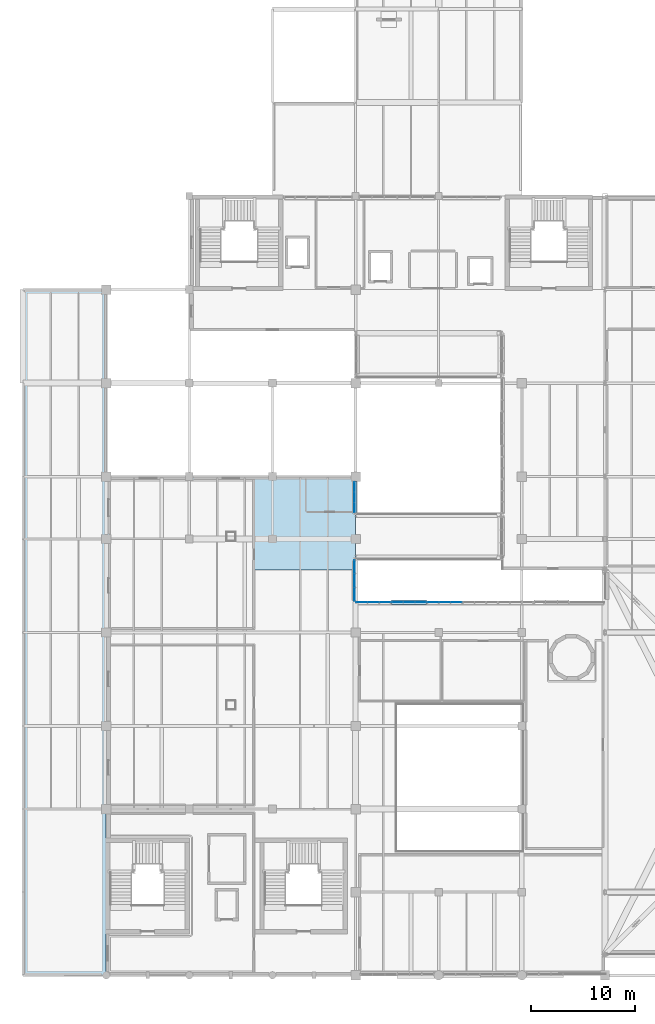
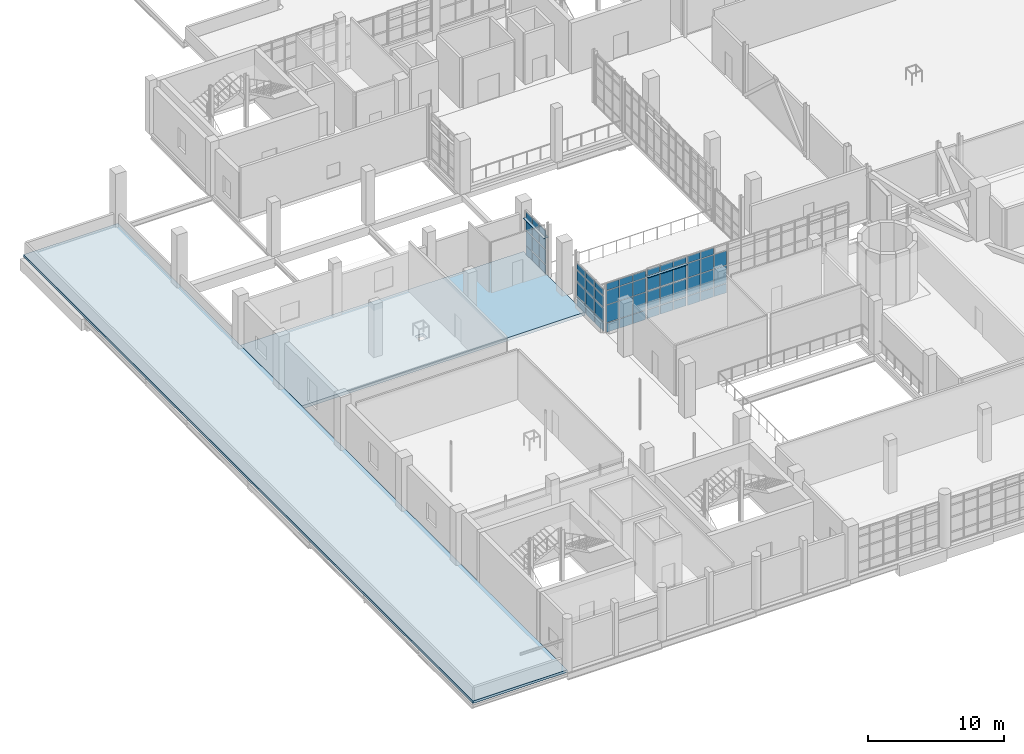
# One storey, part 86 of 127: 61 plates, 2 slabs, 5 elements without a shape of their own.
"""IFC4 building model written with IfcOpenShell, lengths in metres."""

from ifc_helpers import new_model, si_unit, derived_unit, direction, frame, origin, origin_2d, place, context, subcontext, project, spatial, polyline, rectangle, outline, extrude, material, layer, layer_set, type_object, element, aggregate, save


model = new_model("IFC4")

# Units and contexts
model_context = context("Model", 3, precision=1e-05, world=origin(), true_north=direction((0.0, 1.0)))
body_context = subcontext(model_context, "Body", "Model", "MODEL_VIEW")
ifc_project = project(units=[si_unit("LENGTHUNIT", "METRE"), si_unit("AREAUNIT", "SQUARE_METRE"), si_unit("VOLUMEUNIT", "CUBIC_METRE"), si_unit("PLANEANGLEUNIT", "RADIAN"), si_unit("MASSUNIT", "GRAM", prefix="KILO"), derived_unit("THERMALTRANSMITTANCEUNIT", [(si_unit("POWERUNIT", "WATT"), 1), (si_unit("LENGTHUNIT", "METRE"), -2), (si_unit("THERMODYNAMICTEMPERATUREUNIT", "KELVIN"), -1)])], contexts=[model_context])

# Site, building, storey
site_placement = place(None, origin())
site = spatial("IfcSite", under=ifc_project, at=site_placement, CompositionType="ELEMENT")
building_placement = place(site_placement, origin())
building = spatial("IfcBuilding", under=site, at=building_placement, Name="Nallur Shell Playhouse", CompositionType="ELEMENT")
storey_placement = place(building_placement, frame((0.0, 0.0, 5.39990234375)))
storey = spatial("IfcBuildingStorey", under=building, at=storey_placement, Name="L02", CompositionType="ELEMENT", Elevation=5.39990234375)

# Curtain wall, plates
ifc_material_1 = material(Name="Anodised Aluminium Double-Glazed Facade System", Category="aluminium")
ifc_layer_1 = layer(ifc_material_1, 0.172119140625)
ifc_layer_set_1 = layer_set([ifc_layer_1], Name="Anodised Aluminium Double-Glazed Facade System")
curtain_wall_type_1 = type_object("IfcCurtainWallType", Name="CW-UNIT-09", PredefinedType="NOTDEFINED", material=ifc_layer_set_1)
curtain_wall_1_placement = place(storey_placement, origin())
curtain_wall_1 = element("IfcCurtainWall", 1, at=curtain_wall_1_placement, inside=storey, type_object=curtain_wall_type_1, Name="Unitised curtain wall CW-009 (L02)", PredefinedType="NOTDEFINED")
ifc_material_2 = material(Name="Solar-Control Low-E Laminated Insulating Glass", Category="glass")
ifc_layer_2 = layer(ifc_material_2, 0.02587890625)
ifc_layer_set_2 = layer_set([ifc_layer_2], Name="Solar-Control Low-E Laminated Insulating Glass")
plate_type_1 = type_object("IfcPlateType", Name="PT-GLZ-01", PredefinedType="CURTAIN_PANEL", material=ifc_layer_set_2)
plate_1_placement = place(storey_placement, frame((47.45068359375, 43.909912109375, 0.05712890625), z_axis=(0.0, 0.0, 1.0), x_axis=(1.0, 0.0, 0.0)))
plate_1 = element("IfcPlate", 2, at=plate_1_placement, type_object=plate_type_1, Name="CW-09 panel 1.1", PredefinedType="CURTAIN_PANEL", context=body_context, shape_type="SweptSolid", body=[
    extrude(rectangle(XDim=1.04296875, YDim=0.02587890625, at=origin_2d()), origin(), (0.0, 0.0, 1.0), 0.818603515625),
])
plate_2_placement = place(storey_placement, frame((47.45068359375, 43.909912109375, 0.924560546875), z_axis=(0.0, 0.0, 1.0), x_axis=(1.0, 0.0, 0.0)))
plate_2 = element("IfcPlate", 3, at=plate_2_placement, type_object=plate_type_1, Name="CW-09 panel 1.2", PredefinedType="CURTAIN_PANEL", context=body_context, shape_type="SweptSolid", body=[
    extrude(rectangle(XDim=1.04296875, YDim=0.02587890625, at=origin_2d()), origin(), (0.0, 0.0, 1.0), 1.58203125),
])
plate_3_placement = place(storey_placement, frame((47.45068359375, 43.909912109375, 2.5556640625), z_axis=(0.0, 0.0, 1.0), x_axis=(1.0, 0.0, 0.0)))
plate_3 = element("IfcPlate", 4, at=plate_3_placement, type_object=plate_type_1, Name="CW-09 panel 1.3", PredefinedType="CURTAIN_PANEL", context=body_context, shape_type="SweptSolid", body=[
    extrude(rectangle(XDim=1.04296875, YDim=0.02587890625, at=origin_2d()), origin(), (0.0, 0.0, 1.0), 1.260009765625),
])
plate_4_placement = place(storey_placement, frame((47.45068359375, 43.909912109375, 3.86474609375), z_axis=(0.0, 0.0, 1.0), x_axis=(1.0, 0.0, 0.0)))
plate_4 = element("IfcPlate", 5, at=plate_4_placement, type_object=plate_type_1, Name="CW-09 panel 1.4", PredefinedType="CURTAIN_PANEL", context=body_context, shape_type="SweptSolid", body=[
    extrude(rectangle(XDim=1.04296875, YDim=0.02587890625, at=origin_2d()), origin(), (0.0, 0.0, 1.0), 0.598388671875),
])
plate_5_placement = place(storey_placement, frame((48.5712890625, 43.909912109375, 0.05712890625), z_axis=(0.0, 0.0, 1.0), x_axis=(1.0, 0.0, 0.0)))
plate_5 = element("IfcPlate", 6, at=plate_5_placement, type_object=plate_type_1, Name="CW-09 panel 2.1", PredefinedType="CURTAIN_PANEL", context=body_context, shape_type="SweptSolid", body=[
    extrude(rectangle(XDim=1.08056640625, YDim=0.02587890625, at=origin_2d()), origin(), (0.0, 0.0, 1.0), 0.818603515625),
])
plate_6_placement = place(storey_placement, frame((48.5712890625, 43.909912109375, 0.924560546875), z_axis=(0.0, 0.0, 1.0), x_axis=(1.0, 0.0, 0.0)))
plate_6 = element("IfcPlate", 7, at=plate_6_placement, type_object=plate_type_1, Name="CW-09 panel 2.2", PredefinedType="CURTAIN_PANEL", context=body_context, shape_type="SweptSolid", body=[
    extrude(rectangle(XDim=1.08056640625, YDim=0.02587890625, at=origin_2d()), origin(), (0.0, 0.0, 1.0), 1.58203125),
])
plate_7_placement = place(storey_placement, frame((48.5712890625, 43.909912109375, 2.5556640625), z_axis=(0.0, 0.0, 1.0), x_axis=(1.0, 0.0, 0.0)))
plate_7 = element("IfcPlate", 8, at=plate_7_placement, type_object=plate_type_1, Name="CW-09 panel 2.3", PredefinedType="CURTAIN_PANEL", context=body_context, shape_type="SweptSolid", body=[
    extrude(rectangle(XDim=1.08056640625, YDim=0.02587890625, at=origin_2d()), origin(), (0.0, 0.0, 1.0), 1.260009765625),
])
plate_8_placement = place(storey_placement, frame((48.5712890625, 43.909912109375, 3.86474609375), z_axis=(0.0, 0.0, 1.0), x_axis=(1.0, 0.0, 0.0)))
plate_8 = element("IfcPlate", 9, at=plate_8_placement, type_object=plate_type_1, Name="CW-09 panel 2.4", PredefinedType="CURTAIN_PANEL", context=body_context, shape_type="SweptSolid", body=[
    extrude(rectangle(XDim=1.08056640625, YDim=0.02587890625, at=origin_2d()), origin(), (0.0, 0.0, 1.0), 0.598388671875),
])
plate_9_placement = place(storey_placement, frame((49.692138671875, 43.909912109375, 0.05712890625), z_axis=(0.0, 0.0, 1.0), x_axis=(1.0, 0.0, 0.0)))
plate_9 = element("IfcPlate", 10, at=plate_9_placement, type_object=plate_type_1, Name="CW-09 panel 3.1", PredefinedType="CURTAIN_PANEL", context=body_context, shape_type="SweptSolid", body=[
    extrude(rectangle(XDim=1.04296875, YDim=0.02587890625, at=origin_2d()), origin(), (0.0, 0.0, 1.0), 0.818603515625),
])
plate_10_placement = place(storey_placement, frame((49.692138671875, 43.909912109375, 0.924560546875), z_axis=(0.0, 0.0, 1.0), x_axis=(1.0, 0.0, 0.0)))
plate_10 = element("IfcPlate", 11, at=plate_10_placement, type_object=plate_type_1, Name="CW-09 panel 3.2", PredefinedType="CURTAIN_PANEL", context=body_context, shape_type="SweptSolid", body=[
    extrude(rectangle(XDim=1.04296875, YDim=0.02587890625, at=origin_2d()), origin(), (0.0, 0.0, 1.0), 1.58203125),
])
plate_11_placement = place(storey_placement, frame((49.692138671875, 43.909912109375, 2.5556640625), z_axis=(0.0, 0.0, 1.0), x_axis=(1.0, 0.0, 0.0)))
plate_11 = element("IfcPlate", 12, at=plate_11_placement, type_object=plate_type_1, Name="CW-09 panel 3.3", PredefinedType="CURTAIN_PANEL", context=body_context, shape_type="SweptSolid", body=[
    extrude(rectangle(XDim=1.04296875, YDim=0.02587890625, at=origin_2d()), origin(), (0.0, 0.0, 1.0), 1.260009765625),
])
aggregate(curtain_wall_1, [plate_1, plate_2, plate_3, plate_4, plate_5, plate_6, plate_7, plate_8, plate_9, plate_10, plate_11])

ifc_layer_3 = layer(ifc_material_1, 0.159912109375)
ifc_layer_set_3 = layer_set([ifc_layer_3], Name="Anodised Aluminium Double-Glazed Facade System")
curtain_wall_type_2 = type_object("IfcCurtainWallType", Name="CW-UNIT-06", PredefinedType="NOTDEFINED", material=ifc_layer_set_3)
curtain_wall_2_placement = place(storey_placement, origin())
curtain_wall_2 = element("IfcCurtainWall", 13, at=curtain_wall_2_placement, inside=storey, type_object=curtain_wall_type_2, Name="Unitised curtain wall CW-006 (L02)", PredefinedType="NOTDEFINED")
ifc_layer_4 = layer(ifc_material_2, 0.035888671875)
ifc_layer_set_4 = layer_set([ifc_layer_4], Name="Solar-Control Low-E Laminated Insulating Glass")
plate_type_2 = type_object("IfcPlateType", Name="PT-GLZ-06", PredefinedType="CURTAIN_PANEL", material=ifc_layer_set_4)
plate_12_placement = place(storey_placement, frame((39.909912109375, 47.314697265625, 0.092041015625), z_axis=(0.0, 0.0, 1.0), x_axis=(0.0, -1.0, 0.0)))
plate_12 = element("IfcPlate", 14, at=plate_12_placement, type_object=plate_type_2, Name="CW-06 panel 1.1", PredefinedType="CURTAIN_PANEL", context=body_context, shape_type="SweptSolid", body=[
    extrude(rectangle(XDim=1.23681640625, YDim=0.035888671875, at=origin_2d()), origin(), (0.0, 0.0, 1.0), 0.76611328125),
])
plate_13_placement = place(storey_placement, frame((39.909912109375, 47.314697265625, 0.94189453125), z_axis=(0.0, 0.0, 1.0), x_axis=(0.0, -1.0, 0.0)))
plate_13 = element("IfcPlate", 15, at=plate_13_placement, type_object=plate_type_2, Name="CW-06 panel 1.2", PredefinedType="CURTAIN_PANEL", context=body_context, shape_type="SweptSolid", body=[
    extrude(rectangle(XDim=1.23681640625, YDim=0.035888671875, at=origin_2d()), origin(), (0.0, 0.0, 1.0), 1.219970703125),
])
plate_14_placement = place(storey_placement, frame((39.909912109375, 47.314697265625, 2.24609375), z_axis=(0.0, 0.0, 1.0), x_axis=(0.0, -1.0, 0.0)))
plate_14 = element("IfcPlate", 16, at=plate_14_placement, type_object=plate_type_2, Name="CW-06 panel 1.3", PredefinedType="CURTAIN_PANEL", context=body_context, shape_type="SweptSolid", body=[
    extrude(rectangle(XDim=1.23681640625, YDim=0.035888671875, at=origin_2d()), origin(), (0.0, 0.0, 1.0), 0.967041015625),
])
plate_15_placement = place(storey_placement, frame((39.909912109375, 47.314697265625, 3.297119140625), z_axis=(0.0, 0.0, 1.0), x_axis=(0.0, -1.0, 0.0)))
plate_15 = element("IfcPlate", 17, at=plate_15_placement, type_object=plate_type_2, Name="CW-06 panel 1.4", PredefinedType="CURTAIN_PANEL", context=body_context, shape_type="SweptSolid", body=[
    extrude(rectangle(XDim=1.23681640625, YDim=0.035888671875, at=origin_2d()), origin(), (0.0, 0.0, 1.0), 0.5458984375),
])
plate_16_placement = place(storey_placement, frame((39.909912109375, 46.0, 0.092041015625), z_axis=(0.0, 0.0, 1.0), x_axis=(0.0, -1.0, 0.0)))
plate_16 = element("IfcPlate", 18, at=plate_16_placement, type_object=plate_type_2, Name="CW-06 panel 2.1", PredefinedType="CURTAIN_PANEL", context=body_context, shape_type="SweptSolid", body=[
    extrude(rectangle(XDim=1.2744140625, YDim=0.035888671875, at=origin_2d()), origin(), (0.0, 0.0, 1.0), 0.76611328125),
])
plate_17_placement = place(storey_placement, frame((39.909912109375, 46.0, 0.94189453125), z_axis=(0.0, 0.0, 1.0), x_axis=(0.0, -1.0, 0.0)))
plate_17 = element("IfcPlate", 19, at=plate_17_placement, type_object=plate_type_2, Name="CW-06 panel 2.2", PredefinedType="CURTAIN_PANEL", context=body_context, shape_type="SweptSolid", body=[
    extrude(rectangle(XDim=1.2744140625, YDim=0.035888671875, at=origin_2d()), origin(), (0.0, 0.0, 1.0), 1.219970703125),
])
plate_18_placement = place(storey_placement, frame((39.909912109375, 46.0, 2.24609375), z_axis=(0.0, 0.0, 1.0), x_axis=(0.0, -1.0, 0.0)))
plate_18 = element("IfcPlate", 20, at=plate_18_placement, type_object=plate_type_2, Name="CW-06 panel 2.3", PredefinedType="CURTAIN_PANEL", context=body_context, shape_type="SweptSolid", body=[
    extrude(rectangle(XDim=1.2744140625, YDim=0.035888671875, at=origin_2d()), origin(), (0.0, 0.0, 1.0), 0.967041015625),
])
plate_19_placement = place(storey_placement, frame((39.909912109375, 46.0, 3.297119140625), z_axis=(0.0, 0.0, 1.0), x_axis=(0.0, -1.0, 0.0)))
plate_19 = element("IfcPlate", 21, at=plate_19_placement, type_object=plate_type_2, Name="CW-06 panel 2.4", PredefinedType="CURTAIN_PANEL", context=body_context, shape_type="SweptSolid", body=[
    extrude(rectangle(XDim=1.2744140625, YDim=0.035888671875, at=origin_2d()), origin(), (0.0, 0.0, 1.0), 0.5458984375),
])
plate_20_placement = place(storey_placement, frame((39.909912109375, 44.685302734375, 0.092041015625), z_axis=(0.0, 0.0, 1.0), x_axis=(0.0, -1.0, 0.0)))
plate_20 = element("IfcPlate", 22, at=plate_20_placement, type_object=plate_type_2, Name="CW-06 panel 3.1", PredefinedType="CURTAIN_PANEL", context=body_context, shape_type="SweptSolid", body=[
    extrude(rectangle(XDim=1.23681640625, YDim=0.035888671875, at=origin_2d()), origin(), (0.0, 0.0, 1.0), 0.76611328125),
])
plate_21_placement = place(storey_placement, frame((39.909912109375, 44.685302734375, 0.94189453125), z_axis=(0.0, 0.0, 1.0), x_axis=(0.0, -1.0, 0.0)))
plate_21 = element("IfcPlate", 23, at=plate_21_placement, type_object=plate_type_2, Name="CW-06 panel 3.2", PredefinedType="CURTAIN_PANEL", context=body_context, shape_type="SweptSolid", body=[
    extrude(rectangle(XDim=1.23681640625, YDim=0.035888671875, at=origin_2d()), origin(), (0.0, 0.0, 1.0), 1.219970703125),
])
plate_22_placement = place(storey_placement, frame((39.909912109375, 44.685302734375, 2.24609375), z_axis=(0.0, 0.0, 1.0), x_axis=(0.0, -1.0, 0.0)))
plate_22 = element("IfcPlate", 24, at=plate_22_placement, type_object=plate_type_2, Name="CW-06 panel 3.3", PredefinedType="CURTAIN_PANEL", context=body_context, shape_type="SweptSolid", body=[
    extrude(rectangle(XDim=1.23681640625, YDim=0.035888671875, at=origin_2d()), origin(), (0.0, 0.0, 1.0), 0.967041015625),
])
plate_23_placement = place(storey_placement, frame((39.909912109375, 44.685302734375, 3.297119140625), z_axis=(0.0, 0.0, 1.0), x_axis=(0.0, -1.0, 0.0)))
plate_23 = element("IfcPlate", 25, at=plate_23_placement, type_object=plate_type_2, Name="CW-06 panel 3.4", PredefinedType="CURTAIN_PANEL", context=body_context, shape_type="SweptSolid", body=[
    extrude(rectangle(XDim=1.23681640625, YDim=0.035888671875, at=origin_2d()), origin(), (0.0, 0.0, 1.0), 0.5458984375),
])
aggregate(curtain_wall_2, [plate_12, plate_13, plate_14, plate_15, plate_16, plate_17, plate_18, plate_19, plate_20, plate_21, plate_22, plate_23])

ifc_layer_5 = layer(ifc_material_1, 0.1640625)
ifc_layer_set_5 = layer_set([ifc_layer_5], Name="Anodised Aluminium Double-Glazed Facade System")
curtain_wall_type_3 = type_object("IfcCurtainWallType", Name="CW-UNIT-07", PredefinedType="NOTDEFINED", material=ifc_layer_set_5)
curtain_wall_3_placement = place(storey_placement, origin())
curtain_wall_3 = element("IfcCurtainWall", 26, at=curtain_wall_3_placement, inside=storey, type_object=curtain_wall_type_3, Name="Unitised curtain wall CW-007 (L02)", PredefinedType="NOTDEFINED")
ifc_layer_6 = layer(ifc_material_2, 0.0380859375)
ifc_layer_set_6 = layer_set([ifc_layer_6], Name="Solar-Control Low-E Laminated Insulating Glass")
plate_type_3 = type_object("IfcPlateType", Name="PT-GLZ-07", PredefinedType="CURTAIN_PANEL", material=ifc_layer_set_6)
plate_24_placement = place(storey_placement, frame((40.5869140625, 43.909912109375, 0.05712890625), z_axis=(0.0, 0.0, 1.0), x_axis=(1.0, 0.0, 0.0)))
plate_24 = element("IfcPlate", 27, at=plate_24_placement, type_object=plate_type_3, Name="CW-07 panel 1.1", PredefinedType="CURTAIN_PANEL", context=body_context, shape_type="SweptSolid", body=[
    extrude(rectangle(XDim=1.059814453125, YDim=0.0380859375, at=origin_2d()), origin(), (0.0, 0.0, 1.0), 0.818603515625),
])
plate_25_placement = place(storey_placement, frame((40.5869140625, 43.909912109375, 0.924560546875), z_axis=(0.0, 0.0, 1.0), x_axis=(1.0, 0.0, 0.0)))
plate_25 = element("IfcPlate", 28, at=plate_25_placement, type_object=plate_type_3, Name="CW-07 panel 1.2", PredefinedType="CURTAIN_PANEL", context=body_context, shape_type="SweptSolid", body=[
    extrude(rectangle(XDim=1.059814453125, YDim=0.0380859375, at=origin_2d()), origin(), (0.0, 0.0, 1.0), 1.56005859375),
])
plate_26_placement = place(storey_placement, frame((40.5869140625, 43.909912109375, 2.53369140625), z_axis=(0.0, 0.0, 1.0), x_axis=(1.0, 0.0, 0.0)))
plate_26 = element("IfcPlate", 29, at=plate_26_placement, type_object=plate_type_3, Name="CW-07 panel 1.3", PredefinedType="CURTAIN_PANEL", context=body_context, shape_type="SweptSolid", body=[
    extrude(rectangle(XDim=1.059814453125, YDim=0.0380859375, at=origin_2d()), origin(), (0.0, 0.0, 1.0), 1.241943359375),
])
plate_27_placement = place(storey_placement, frame((40.5869140625, 43.909912109375, 3.82470703125), z_axis=(0.0, 0.0, 1.0), x_axis=(1.0, 0.0, 0.0)))
plate_27 = element("IfcPlate", 30, at=plate_27_placement, type_object=plate_type_3, Name="CW-07 panel 1.4", PredefinedType="CURTAIN_PANEL", context=body_context, shape_type="SweptSolid", body=[
    extrude(rectangle(XDim=1.059814453125, YDim=0.0380859375, at=origin_2d()), origin(), (0.0, 0.0, 1.0), 0.598388671875),
])
plate_28_placement = place(storey_placement, frame((41.7119140625, 43.909912109375, 0.05712890625), z_axis=(0.0, 0.0, 1.0), x_axis=(1.0, 0.0, 0.0)))
plate_28 = element("IfcPlate", 31, at=plate_28_placement, type_object=plate_type_3, Name="CW-07 panel 2.1", PredefinedType="CURTAIN_PANEL", context=body_context, shape_type="SweptSolid", body=[
    extrude(rectangle(XDim=1.09228515625, YDim=0.0380859375, at=origin_2d()), origin(), (0.0, 0.0, 1.0), 0.818603515625),
])
plate_29_placement = place(storey_placement, frame((41.7119140625, 43.909912109375, 0.924560546875), z_axis=(0.0, 0.0, 1.0), x_axis=(1.0, 0.0, 0.0)))
plate_29 = element("IfcPlate", 32, at=plate_29_placement, type_object=plate_type_3, Name="CW-07 panel 2.2", PredefinedType="CURTAIN_PANEL", context=body_context, shape_type="SweptSolid", body=[
    extrude(rectangle(XDim=1.09228515625, YDim=0.0380859375, at=origin_2d()), origin(), (0.0, 0.0, 1.0), 1.56005859375),
])
plate_30_placement = place(storey_placement, frame((41.7119140625, 43.909912109375, 2.53369140625), z_axis=(0.0, 0.0, 1.0), x_axis=(1.0, 0.0, 0.0)))
plate_30 = element("IfcPlate", 33, at=plate_30_placement, type_object=plate_type_3, Name="CW-07 panel 2.3", PredefinedType="CURTAIN_PANEL", context=body_context, shape_type="SweptSolid", body=[
    extrude(rectangle(XDim=1.09228515625, YDim=0.0380859375, at=origin_2d()), origin(), (0.0, 0.0, 1.0), 1.241943359375),
])
plate_31_placement = place(storey_placement, frame((41.7119140625, 43.909912109375, 3.82470703125), z_axis=(0.0, 0.0, 1.0), x_axis=(1.0, 0.0, 0.0)))
plate_31 = element("IfcPlate", 34, at=plate_31_placement, type_object=plate_type_3, Name="CW-07 panel 2.4", PredefinedType="CURTAIN_PANEL", context=body_context, shape_type="SweptSolid", body=[
    extrude(rectangle(XDim=1.09228515625, YDim=0.0380859375, at=origin_2d()), origin(), (0.0, 0.0, 1.0), 0.598388671875),
])
plate_32_placement = place(storey_placement, frame((42.836669921875, 43.909912109375, 0.05712890625), z_axis=(0.0, 0.0, 1.0), x_axis=(1.0, 0.0, 0.0)))
plate_32 = element("IfcPlate", 35, at=plate_32_placement, type_object=plate_type_3, Name="CW-07 panel 3.1", PredefinedType="CURTAIN_PANEL", context=body_context, shape_type="SweptSolid", body=[
    extrude(rectangle(XDim=1.059814453125, YDim=0.0380859375, at=origin_2d()), origin(), (0.0, 0.0, 1.0), 0.818603515625),
])
plate_33_placement = place(storey_placement, frame((42.836669921875, 43.909912109375, 0.924560546875), z_axis=(0.0, 0.0, 1.0), x_axis=(1.0, 0.0, 0.0)))
plate_33 = element("IfcPlate", 36, at=plate_33_placement, type_object=plate_type_3, Name="CW-07 panel 3.2", PredefinedType="CURTAIN_PANEL", context=body_context, shape_type="SweptSolid", body=[
    extrude(rectangle(XDim=1.059814453125, YDim=0.0380859375, at=origin_2d()), origin(), (0.0, 0.0, 1.0), 1.56005859375),
])
plate_34_placement = place(storey_placement, frame((42.836669921875, 43.909912109375, 2.53369140625), z_axis=(0.0, 0.0, 1.0), x_axis=(1.0, 0.0, 0.0)))
plate_34 = element("IfcPlate", 37, at=plate_34_placement, type_object=plate_type_3, Name="CW-07 panel 3.3", PredefinedType="CURTAIN_PANEL", context=body_context, shape_type="SweptSolid", body=[
    extrude(rectangle(XDim=1.059814453125, YDim=0.0380859375, at=origin_2d()), origin(), (0.0, 0.0, 1.0), 1.241943359375),
])
plate_35_placement = place(storey_placement, frame((42.836669921875, 43.909912109375, 3.82470703125), z_axis=(0.0, 0.0, 1.0), x_axis=(1.0, 0.0, 0.0)))
plate_35 = element("IfcPlate", 38, at=plate_35_placement, type_object=plate_type_3, Name="CW-07 panel 3.4", PredefinedType="CURTAIN_PANEL", context=body_context, shape_type="SweptSolid", body=[
    extrude(rectangle(XDim=1.059814453125, YDim=0.0380859375, at=origin_2d()), origin(), (0.0, 0.0, 1.0), 0.598388671875),
])
aggregate(curtain_wall_3, [plate_24, plate_25, plate_26, plate_27, plate_28, plate_29, plate_30, plate_31, plate_32, plate_33, plate_34, plate_35])

ifc_layer_7 = layer(ifc_material_1, 0.16796875)
ifc_layer_set_7 = layer_set([ifc_layer_7], Name="Anodised Aluminium Double-Glazed Facade System")
curtain_wall_type_4 = type_object("IfcCurtainWallType", Name="CW-UNIT-08", PredefinedType="NOTDEFINED", material=ifc_layer_set_7)
curtain_wall_4_placement = place(storey_placement, origin())
curtain_wall_4 = element("IfcCurtainWall", 39, at=curtain_wall_4_placement, inside=storey, type_object=curtain_wall_type_4, Name="Unitised curtain wall CW-008 (L02)", PredefinedType="NOTDEFINED")
ifc_layer_8 = layer(ifc_material_2, 0.0400390625)
ifc_layer_set_8 = layer_set([ifc_layer_8], Name="Solar-Control Low-E Laminated Insulating Glass")
plate_type_4 = type_object("IfcPlateType", Name="PT-GLZ-08", PredefinedType="CURTAIN_PANEL", material=ifc_layer_set_8)
plate_36_placement = place(storey_placement, frame((44.0234375, 43.909912109375, 0.092041015625), z_axis=(0.0, 0.0, 1.0), x_axis=(1.0, 0.0, 0.0)))
plate_36 = element("IfcPlate", 40, at=plate_36_placement, type_object=plate_type_4, Name="CW-08 panel 1.1", PredefinedType="CURTAIN_PANEL", context=body_context, shape_type="SweptSolid", body=[
    extrude(rectangle(XDim=1.035400390625, YDim=0.0400390625, at=origin_2d()), origin(), (0.0, 0.0, 1.0), 0.76611328125),
])
plate_37_placement = place(storey_placement, frame((44.0234375, 43.909912109375, 0.942138671875), z_axis=(0.0, 0.0, 1.0), x_axis=(1.0, 0.0, 0.0)))
plate_37 = element("IfcPlate", 41, at=plate_37_placement, type_object=plate_type_4, Name="CW-08 panel 1.2", PredefinedType="CURTAIN_PANEL", context=body_context, shape_type="SweptSolid", body=[
    extrude(rectangle(XDim=1.035400390625, YDim=0.0400390625, at=origin_2d()), origin(), (0.0, 0.0, 1.0), 1.55810546875),
])
plate_38_placement = place(storey_placement, frame((44.0234375, 43.909912109375, 2.584228515625), z_axis=(0.0, 0.0, 1.0), x_axis=(1.0, 0.0, 0.0)))
plate_38 = element("IfcPlate", 42, at=plate_38_placement, type_object=plate_type_4, Name="CW-08 panel 1.3", PredefinedType="CURTAIN_PANEL", context=body_context, shape_type="SweptSolid", body=[
    extrude(rectangle(XDim=1.035400390625, YDim=0.0400390625, at=origin_2d()), origin(), (0.0, 0.0, 1.0), 1.23388671875),
])
plate_39_placement = place(storey_placement, frame((44.0234375, 43.909912109375, 3.902099609375), z_axis=(0.0, 0.0, 1.0), x_axis=(1.0, 0.0, 0.0)))
plate_39 = element("IfcPlate", 43, at=plate_39_placement, type_object=plate_type_4, Name="CW-08 panel 1.4", PredefinedType="CURTAIN_PANEL", context=body_context, shape_type="SweptSolid", body=[
    extrude(rectangle(XDim=1.035400390625, YDim=0.0400390625, at=origin_2d()), origin(), (0.0, 0.0, 1.0), 0.5458984375),
])
plate_40_placement = place(storey_placement, frame((45.142822265625, 43.909912109375, 0.092041015625), z_axis=(0.0, 0.0, 1.0), x_axis=(1.0, 0.0, 0.0)))
plate_40 = element("IfcPlate", 44, at=plate_40_placement, type_object=plate_type_4, Name="CW-08 panel 2.1", PredefinedType="CURTAIN_PANEL", context=body_context, shape_type="SweptSolid", body=[
    extrude(rectangle(XDim=1.075439453125, YDim=0.0400390625, at=origin_2d()), origin(), (0.0, 0.0, 1.0), 0.76611328125),
])
plate_41_placement = place(storey_placement, frame((45.142822265625, 43.909912109375, 0.942138671875), z_axis=(0.0, 0.0, 1.0), x_axis=(1.0, 0.0, 0.0)))
plate_41 = element("IfcPlate", 45, at=plate_41_placement, type_object=plate_type_4, Name="CW-08 panel 2.2", PredefinedType="CURTAIN_PANEL", context=body_context, shape_type="SweptSolid", body=[
    extrude(rectangle(XDim=1.075439453125, YDim=0.0400390625, at=origin_2d()), origin(), (0.0, 0.0, 1.0), 1.55810546875),
])
plate_42_placement = place(storey_placement, frame((45.142822265625, 43.909912109375, 2.584228515625), z_axis=(0.0, 0.0, 1.0), x_axis=(1.0, 0.0, 0.0)))
plate_42 = element("IfcPlate", 46, at=plate_42_placement, type_object=plate_type_4, Name="CW-08 panel 2.3", PredefinedType="CURTAIN_PANEL", context=body_context, shape_type="SweptSolid", body=[
    extrude(rectangle(XDim=1.075439453125, YDim=0.0400390625, at=origin_2d()), origin(), (0.0, 0.0, 1.0), 1.23388671875),
])
plate_43_placement = place(storey_placement, frame((45.142822265625, 43.909912109375, 3.902099609375), z_axis=(0.0, 0.0, 1.0), x_axis=(1.0, 0.0, 0.0)))
plate_43 = element("IfcPlate", 47, at=plate_43_placement, type_object=plate_type_4, Name="CW-08 panel 2.4", PredefinedType="CURTAIN_PANEL", context=body_context, shape_type="SweptSolid", body=[
    extrude(rectangle(XDim=1.075439453125, YDim=0.0400390625, at=origin_2d()), origin(), (0.0, 0.0, 1.0), 0.5458984375),
])
plate_44_placement = place(storey_placement, frame((46.262451171875, 43.909912109375, 0.092041015625), z_axis=(0.0, 0.0, 1.0), x_axis=(1.0, 0.0, 0.0)))
plate_44 = element("IfcPlate", 48, at=plate_44_placement, type_object=plate_type_4, Name="CW-08 panel 3.1", PredefinedType="CURTAIN_PANEL", context=body_context, shape_type="SweptSolid", body=[
    extrude(rectangle(XDim=1.035400390625, YDim=0.0400390625, at=origin_2d()), origin(), (0.0, 0.0, 1.0), 0.76611328125),
])
plate_45_placement = place(storey_placement, frame((46.262451171875, 43.909912109375, 0.942138671875), z_axis=(0.0, 0.0, 1.0), x_axis=(1.0, 0.0, 0.0)))
plate_45 = element("IfcPlate", 49, at=plate_45_placement, type_object=plate_type_4, Name="CW-08 panel 3.2", PredefinedType="CURTAIN_PANEL", context=body_context, shape_type="SweptSolid", body=[
    extrude(rectangle(XDim=1.035400390625, YDim=0.0400390625, at=origin_2d()), origin(), (0.0, 0.0, 1.0), 1.55810546875),
])
plate_46_placement = place(storey_placement, frame((46.262451171875, 43.909912109375, 2.584228515625), z_axis=(0.0, 0.0, 1.0), x_axis=(1.0, 0.0, 0.0)))
plate_46 = element("IfcPlate", 50, at=plate_46_placement, type_object=plate_type_4, Name="CW-08 panel 3.3", PredefinedType="CURTAIN_PANEL", context=body_context, shape_type="SweptSolid", body=[
    extrude(rectangle(XDim=1.035400390625, YDim=0.0400390625, at=origin_2d()), origin(), (0.0, 0.0, 1.0), 1.23388671875),
])
plate_47_placement = place(storey_placement, frame((46.262451171875, 43.909912109375, 3.902099609375), z_axis=(0.0, 0.0, 1.0), x_axis=(1.0, 0.0, 0.0)))
plate_47 = element("IfcPlate", 51, at=plate_47_placement, type_object=plate_type_4, Name="CW-08 panel 3.4", PredefinedType="CURTAIN_PANEL", context=body_context, shape_type="SweptSolid", body=[
    extrude(rectangle(XDim=1.035400390625, YDim=0.0400390625, at=origin_2d()), origin(), (0.0, 0.0, 1.0), 0.5458984375),
])
aggregate(curtain_wall_4, [plate_36, plate_37, plate_38, plate_39, plate_40, plate_41, plate_42, plate_43, plate_44, plate_45, plate_46, plate_47])

ifc_layer_9 = layer(ifc_material_1, 0.159912109375)
ifc_layer_set_9 = layer_set([ifc_layer_9], Name="Anodised Aluminium Double-Glazed Facade System")
curtain_wall_type_5 = type_object("IfcCurtainWallType", Name="CW-UNIT-24", PredefinedType="NOTDEFINED", material=ifc_layer_set_9)
curtain_wall_5_placement = place(storey_placement, origin())
curtain_wall_5 = element("IfcCurtainWall", 52, at=curtain_wall_5_placement, inside=storey, type_object=curtain_wall_type_5, Name="Unitised curtain wall CW-056 (L02)", PredefinedType="NOTDEFINED")
plate_48_placement = place(storey_placement, frame((39.909912109375, 55.014892578125, 0.092041015625), z_axis=(0.0, 0.0, 1.0), x_axis=(0.0, -1.0, 0.0)))
plate_48 = element("IfcPlate", 53, at=plate_48_placement, type_object=plate_type_4, Name="CW-24 panel 1.1", PredefinedType="CURTAIN_PANEL", context=body_context, shape_type="SweptSolid", body=[
    extrude(rectangle(XDim=0.909912109375, YDim=0.0400390625, at=origin_2d()), origin(), (0.0, 0.0, 1.0), 0.76611328125),
])
plate_49_placement = place(storey_placement, frame((39.909912109375, 55.014892578125, 0.942138671875), z_axis=(0.0, 0.0, 1.0), x_axis=(0.0, -1.0, 0.0)))
plate_49 = element("IfcPlate", 54, at=plate_49_placement, type_object=plate_type_4, Name="CW-24 panel 1.2", PredefinedType="CURTAIN_PANEL", context=body_context, shape_type="SweptSolid", body=[
    extrude(rectangle(XDim=0.909912109375, YDim=0.0400390625, at=origin_2d()), origin(), (0.0, 0.0, 1.0), 1.27001953125),
])
plate_50_placement = place(storey_placement, frame((39.909912109375, 55.014892578125, 2.2958984375), z_axis=(0.0, 0.0, 1.0), x_axis=(0.0, -1.0, 0.0)))
plate_50 = element("IfcPlate", 55, at=plate_50_placement, type_object=plate_type_4, Name="CW-24 panel 1.3", PredefinedType="CURTAIN_PANEL", context=body_context, shape_type="SweptSolid", body=[
    extrude(rectangle(XDim=0.909912109375, YDim=0.0400390625, at=origin_2d()), origin(), (0.0, 0.0, 1.0), 1.007080078125),
])
plate_51_placement = place(storey_placement, frame((39.909912109375, 55.014892578125, 3.38720703125), z_axis=(0.0, 0.0, 1.0), x_axis=(0.0, -1.0, 0.0)))
plate_51 = element("IfcPlate", 56, at=plate_51_placement, type_object=plate_type_4, Name="CW-24 panel 1.4", PredefinedType="CURTAIN_PANEL", context=body_context, shape_type="SweptSolid", body=[
    extrude(rectangle(XDim=0.909912109375, YDim=0.0400390625, at=origin_2d()), origin(), (0.0, 0.0, 1.0), 0.5458984375),
])
plate_52_placement = place(storey_placement, frame((39.909912109375, 54.02099609375, 0.092041015625), z_axis=(0.0, 0.0, 1.0), x_axis=(0.0, -1.0, 0.0)))
plate_52 = element("IfcPlate", 57, at=plate_52_placement, type_object=plate_type_4, Name="CW-24 panel 2.1", PredefinedType="CURTAIN_PANEL", context=body_context, shape_type="SweptSolid", body=[
    extrude(rectangle(XDim=0.949951171875, YDim=0.0400390625, at=origin_2d()), origin(), (0.0, 0.0, 1.0), 0.76611328125),
])
plate_53_placement = place(storey_placement, frame((39.909912109375, 54.02099609375, 0.942138671875), z_axis=(0.0, 0.0, 1.0), x_axis=(0.0, -1.0, 0.0)))
plate_53 = element("IfcPlate", 58, at=plate_53_placement, type_object=plate_type_4, Name="CW-24 panel 2.2", PredefinedType="CURTAIN_PANEL", context=body_context, shape_type="SweptSolid", body=[
    extrude(rectangle(XDim=0.949951171875, YDim=0.0400390625, at=origin_2d()), origin(), (0.0, 0.0, 1.0), 1.27001953125),
])
plate_54_placement = place(storey_placement, frame((39.909912109375, 54.02099609375, 2.2958984375), z_axis=(0.0, 0.0, 1.0), x_axis=(0.0, -1.0, 0.0)))
plate_54 = element("IfcPlate", 59, at=plate_54_placement, type_object=plate_type_4, Name="CW-24 panel 2.3", PredefinedType="CURTAIN_PANEL", context=body_context, shape_type="SweptSolid", body=[
    extrude(rectangle(XDim=0.949951171875, YDim=0.0400390625, at=origin_2d()), origin(), (0.0, 0.0, 1.0), 1.007080078125),
])
plate_55_placement = place(storey_placement, frame((39.909912109375, 54.02099609375, 3.38720703125), z_axis=(0.0, 0.0, 1.0), x_axis=(0.0, -1.0, 0.0)))
plate_55 = element("IfcPlate", 60, at=plate_55_placement, type_object=plate_type_4, Name="CW-24 panel 2.4", PredefinedType="CURTAIN_PANEL", context=body_context, shape_type="SweptSolid", body=[
    extrude(rectangle(XDim=0.949951171875, YDim=0.0400390625, at=origin_2d()), origin(), (0.0, 0.0, 1.0), 0.5458984375),
])
plate_56_placement = place(storey_placement, frame((39.909912109375, 53.027099609375, 0.092041015625), z_axis=(0.0, 0.0, 1.0), x_axis=(0.0, -1.0, 0.0)))
plate_56 = element("IfcPlate", 61, at=plate_56_placement, type_object=plate_type_4, Name="CW-24 panel 3.1", PredefinedType="CURTAIN_PANEL", context=body_context, shape_type="SweptSolid", body=[
    extrude(rectangle(XDim=0.909912109375, YDim=0.0400390625, at=origin_2d()), origin(), (0.0, 0.0, 1.0), 0.76611328125),
])
plate_57_placement = place(storey_placement, frame((39.909912109375, 53.027099609375, 0.942138671875), z_axis=(0.0, 0.0, 1.0), x_axis=(0.0, -1.0, 0.0)))
plate_57 = element("IfcPlate", 62, at=plate_57_placement, type_object=plate_type_4, Name="CW-24 panel 3.2", PredefinedType="CURTAIN_PANEL", context=body_context, shape_type="SweptSolid", body=[
    extrude(rectangle(XDim=0.909912109375, YDim=0.0400390625, at=origin_2d()), origin(), (0.0, 0.0, 1.0), 1.27001953125),
])
plate_58_placement = place(storey_placement, frame((39.909912109375, 53.027099609375, 2.2958984375), z_axis=(0.0, 0.0, 1.0), x_axis=(0.0, -1.0, 0.0)))
plate_58 = element("IfcPlate", 63, at=plate_58_placement, type_object=plate_type_4, Name="CW-24 panel 3.3", PredefinedType="CURTAIN_PANEL", context=body_context, shape_type="SweptSolid", body=[
    extrude(rectangle(XDim=0.909912109375, YDim=0.0400390625, at=origin_2d()), origin(), (0.0, 0.0, 1.0), 1.007080078125),
])
plate_59_placement = place(storey_placement, frame((39.909912109375, 53.027099609375, 3.38720703125), z_axis=(0.0, 0.0, 1.0), x_axis=(0.0, -1.0, 0.0)))
plate_59 = element("IfcPlate", 64, at=plate_59_placement, type_object=plate_type_4, Name="CW-24 panel 3.4", PredefinedType="CURTAIN_PANEL", context=body_context, shape_type="SweptSolid", body=[
    extrude(rectangle(XDim=0.909912109375, YDim=0.0400390625, at=origin_2d()), origin(), (0.0, 0.0, 1.0), 0.5458984375),
])
aggregate(curtain_wall_5, [plate_48, plate_49, plate_50, plate_51, plate_52, plate_53, plate_54, plate_55, plate_56, plate_57, plate_58, plate_59])

# Plates
ifc_material_3 = material(Name="Terracotta & Gold-Anodised Monsoon Sunshade Blade", Category="masonry")
ifc_layer_10 = layer(ifc_material_3, 0.050048828125)
ifc_layer_set_10 = layer_set([ifc_layer_10], Name="Terracotta & Gold-Anodised Monsoon Sunshade Blade")
plate_type_5 = type_object("IfcPlateType", Name="PT-LOUVRE-02", PredefinedType="USERDEFINED", material=ifc_layer_set_10)
plate_60_placement = place(storey_placement, frame((45.142822265625, 43.909912109375, 3.8349609375), z_axis=(0.0, 0.0, 1.0), x_axis=(1.0, 0.0, 0.0)))
element("IfcPlate", 65, at=plate_60_placement, inside=storey, type_object=plate_type_5, Name="Monsoon sunshade louvre blade LV-002", ObjectType="SUNSHADE LOUVRE", PredefinedType="USERDEFINED", context=body_context, shape_type="SweptSolid", body=[
    extrude(rectangle(XDim=3.37890625, YDim=0.419921875, at=origin_2d()), origin(), (0.0, 0.0, 1.0), 0.050048828125),
])
plate_61_placement = place(storey_placement, frame((39.909912109375, 54.02099609375, 3.3203125), z_axis=(0.0, 0.0, 1.0), x_axis=(0.0, -1.0, 0.0)))
element("IfcPlate", 66, at=plate_61_placement, inside=storey, type_object=plate_type_5, Name="Monsoon sunshade louvre blade LV-014", ObjectType="SUNSHADE LOUVRE", PredefinedType="USERDEFINED", context=body_context, shape_type="SweptSolid", body=[
    extrude(rectangle(XDim=3.001953125, YDim=0.419921875, at=origin_2d()), origin(), (0.0, 0.0, 1.0), 0.050048828125),
])

# Slabs
ifc_material_4 = material(Name="Concrete M35", Category="concrete")
ifc_layer_11 = layer(ifc_material_4, 0.219970703125)
ifc_layer_set_11 = layer_set([ifc_layer_11], Name="Concrete M35")
slab_type_1 = type_object("IfcSlabType", Name="SL-FLATROOF-220", PredefinedType="ROOF", material=ifc_layer_set_11)
slab_1_placement = place(storey_placement, frame((0.0, 0.0, -0.219970703125)))
element("IfcSlab", 67, at=slab_1_placement, inside=storey, type_object=slab_type_1, Name="L02 West Stage-Door & Dock roof slab", PredefinedType="ROOF", context=body_context, shape_type="SweptSolid", body=[
    extrude(outline(polyline([(8.0, 8.0), (8.0, 74.0), (16.0, 74.0), (16.0, 8.0), (8.0, 8.0)])), origin(), (0.0, 0.0, 1.0), 0.219970703125),
])
ifc_material_5 = material(Name="Concrete M40", Category="concrete")
ifc_layer_12 = layer(ifc_material_5, 0.280029296875)
ifc_layer_set_12 = layer_set([ifc_layer_12], Name="Concrete M40")
slab_type_2 = type_object("IfcSlabType", Name="SL-TRANS-280", PredefinedType="FLOOR", material=ifc_layer_set_12)
slab_2_placement = place(storey_placement, frame((0.0, 0.0, -0.27978515625)))
element("IfcSlab", 68, at=slab_2_placement, inside=storey, type_object=slab_type_2, Name="L02 structural floor slab panel 03", PredefinedType="FLOOR", context=body_context, shape_type="SweptSolid", body=[
    extrude(outline(polyline([(40.0, 52.5), (40.0, 48.0), (40.0, 47.0), (16.0, 47.0), (16.0, 56.0), (40.0, 56.0), (40.0, 52.5)]), holes=[polyline([(27.64990234375, 49.89990234375), (28.35009765625, 49.89990234375), (28.35009765625, 50.60009765625), (27.64990234375, 50.60009765625), (27.64990234375, 49.89990234375)])]), origin(), (0.0, 0.0, 1.0), 0.27978515625),
])

save(model, "model.ifc")
